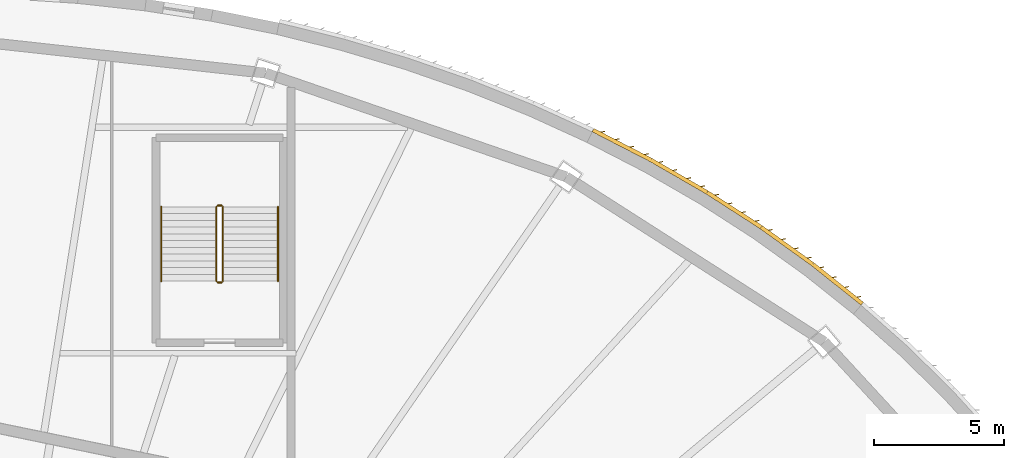
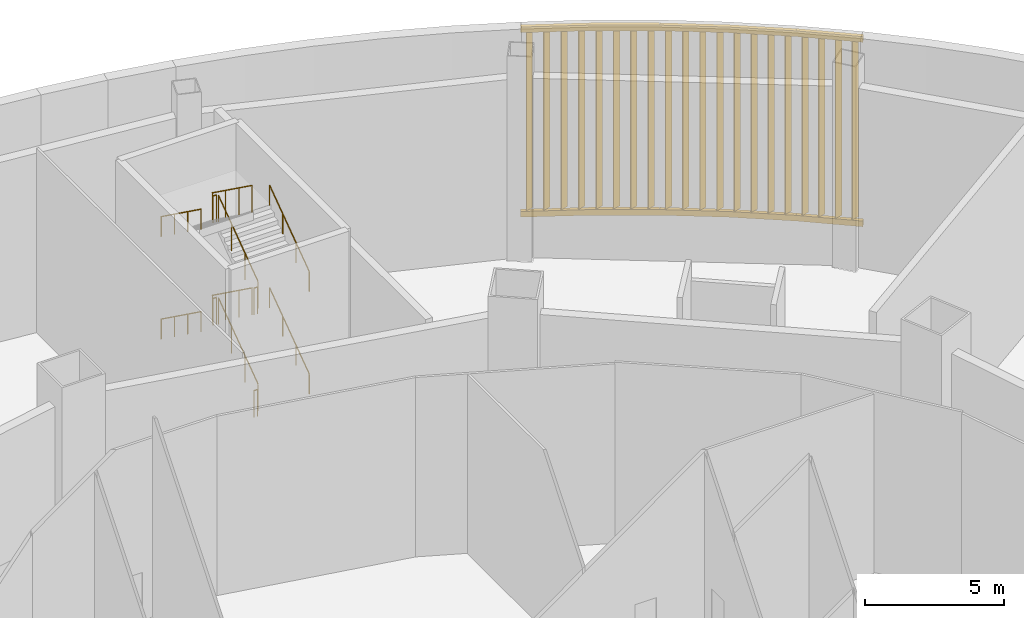
# One storey, part 34 of 35: 12 railings, 1 shading device.
"""IFC4 building model written with IfcOpenShell, lengths in metres."""

import ifcopenshell
import ifcopenshell.guid

model = None  # the IFC model being written
_history = None  # IfcOwnerHistory: only IFC2X3 demands one
_inside = {}  # id of a spatial element -> (the spatial element, [elements in it])
_under = {}  # id of a project, library or spatial element -> (it, [spatial elements below it])
_declared = {}  # id of a project -> (the project, [libraries it declares])
_typed = {}  # id of a type object -> (the type object, [elements of that type])
_made_of = {}  # id of a material, layer set ... -> (it, [elements and type objects made of it])


def new_model(schema):
    """Start an empty IFC model of exactly this schema.

    Asked for "IFC4X3", IfcOpenShell would pick the latest addendum, in which some entities
    have other attributes; the version numbers below select the first issue.
    IFC2X3 requires an IfcOwnerHistory on every rooted entity: one is made here for all.
    """
    global model, _history
    if schema == "IFC4X3":
        model = ifcopenshell.file(schema_version=(4, 3, 0, 0))
    else:
        model = ifcopenshell.file(schema=schema)
    _inside.clear()
    _under.clear()
    _declared.clear()
    _typed.clear()
    _made_of.clear()
    _history = None
    if model.schema == "IFC2X3":
        org = make("IfcOrganization", Name="unknown")
        user = make(
            "IfcPersonAndOrganization",
            ThePerson=make("IfcPerson", FamilyName="unknown"),
            TheOrganization=org,
        )
        app = make(
            "IfcApplication",
            ApplicationDeveloper=org,
            Version="unknown",
            ApplicationFullName="unknown",
            ApplicationIdentifier="unknown",
        )
        _history = make(
            "IfcOwnerHistory",
            OwningUser=user,
            OwningApplication=app,
            ChangeAction="ADDED",
            CreationDate=0,
        )
    return model


def make(cls, **values):
    """One entity of the class cls with the attributes given. An attribute that is None is left unset."""
    return model.create_entity(
        cls, **{name: value for name, value in values.items() if value is not None}
    )


def rooted(cls, **values):
    """An entity with a GlobalId (a new one), such as an element, a storey or a relation."""
    return make(cls, GlobalId=ifcopenshell.guid.new(), OwnerHistory=_history, **values)


def si_unit(unit_type, name, prefix=None):
    """IfcSIUnit, for example si_unit("LENGTHUNIT", "METRE", prefix="MILLI")."""
    return make("IfcSIUnit", UnitType=unit_type, Prefix=prefix, Name=name)


def assignment(units):
    """IfcUnitAssignment: the units of a project."""
    return None if units is None else make("IfcUnitAssignment", Units=units)


def point(xyz):
    """IfcCartesianPoint."""
    return None if xyz is None else make("IfcCartesianPoint", Coordinates=xyz)


def direction(xyz):
    """IfcDirection."""
    return None if xyz is None else make("IfcDirection", DirectionRatios=xyz)


def frame(location, z_axis=None, x_axis=None):
    """IfcAxis2Placement3D, a coordinate frame: its origin and axes. An axis left out is left unset."""
    return make(
        "IfcAxis2Placement3D",
        Location=point(location),
        Axis=direction(z_axis),
        RefDirection=direction(x_axis),
    )


def frame_2d(location, x_axis=None):
    """IfcAxis2Placement2D, a coordinate frame in the plane: its origin and x axis."""
    return make(
        "IfcAxis2Placement2D", Location=point(location), RefDirection=direction(x_axis)
    )


def origin():
    """The frame at (0, 0, 0) with its axes left unset."""
    return frame((0.0, 0.0, 0.0))


def origin_2d():
    """The frame at (0, 0) in the plane with its x axis left unset."""
    return frame_2d((0.0, 0.0))


def place(relative_to, where):
    """IfcLocalPlacement: puts the frame where relative to a parent placement (None: the world)."""
    return make(
        "IfcLocalPlacement", PlacementRelTo=relative_to, RelativePlacement=where
    )


def context(
    kind, dimensions, precision=None, world=None, true_north=None, identifier=None
):
    """IfcGeometricRepresentationContext, for example the 3D "Model" context."""
    return make(
        "IfcGeometricRepresentationContext",
        ContextIdentifier=identifier,
        ContextType=kind,
        CoordinateSpaceDimension=dimensions,
        Precision=precision,
        WorldCoordinateSystem=world,
        TrueNorth=true_north,
    )


def subcontext(parent, identifier, kind, view, scale=None):
    """IfcGeometricRepresentationSubContext, for example "Body" below "Model"."""
    return make(
        "IfcGeometricRepresentationSubContext",
        ContextIdentifier=identifier,
        ContextType=kind,
        ParentContext=parent,
        TargetScale=scale,
        TargetView=view,
    )


def project(units=None, contexts=None):
    """IfcProject with its units and contexts."""
    return rooted(
        "IfcProject",
        Name="project",
        RepresentationContexts=contexts,
        UnitsInContext=assignment(units),
    )


def spatial(cls, under=None, at=None, **own):
    """A site, building, storey or space (cls), placed at a placement, below another one or the project."""
    s = rooted(cls, ObjectPlacement=at, **own)
    if under is not None:
        _under.setdefault(under.id(), (under, []))[1].append(s)
    return s


def profile(cls, at=None, kind="AREA", **sizes):
    """A parametric profile (cls). Its sizes go by their IFC names, for example OverallWidth=200.0."""
    return make(cls, ProfileType=kind, Position=at, **sizes)


def rectangle(**sizes):
    """IfcRectangleProfileDef."""
    return profile("IfcRectangleProfileDef", **sizes)


def circle(**sizes):
    """IfcCircleProfileDef."""
    return profile("IfcCircleProfileDef", **sizes)


def extrude(swept, where, along, depth):
    """IfcExtrudedAreaSolid: the profile swept, set in the frame where, extruded along a direction by depth."""
    return make(
        "IfcExtrudedAreaSolid",
        SweptArea=swept,
        Position=where,
        ExtrudedDirection=direction(along),
        Depth=depth,
    )


def shape(context_of_items, identifier, shape_type, items):
    """IfcShapeRepresentation: the items that make up one representation, for example the "Body"."""
    return make(
        "IfcShapeRepresentation",
        ContextOfItems=context_of_items,
        RepresentationIdentifier=identifier,
        RepresentationType=shape_type,
        Items=items,
    )


def material(Name=None, Category=None):
    """IfcMaterial."""
    return make("IfcMaterial", Name=Name, Category=Category)


def made_of(thing, what):
    """Note that an element or type object is made of a material, layer set ...; save() writes the relation."""
    if what is not None:
        _made_of.setdefault(what.id(), (what, []))[1].append(thing)
    return thing


def type_object(cls, material=None, **own):
    """A type object (cls), such as IfcWallType, which elements share."""
    return made_of(rooted(cls, **own), material)


def element(
    cls,
    number,
    at=None,
    inside=None,
    cuts=None,
    type_object=None,
    material=None,
    context=None,
    identifier="Body",
    shape_type=None,
    held_by="IfcProductDefinitionShape",
    body=None,
    shapes=None,
    **own,
):
    """One element of the class cls, such as IfcWall. Its Tag is "e" and its number.

    at: its placement. inside: the storey or other place that contains it. cuts: it is an
    opening in that element (IfcRelVoidsElement). A single representation is given by context,
    identifier, shape_type and body (its items); several are given by shapes. held_by: the class
    of the entity that holds the representations. save() writes the other relations.
    """
    e = rooted(cls, Tag="e%d" % number, ObjectPlacement=at, **own)
    if body is not None:
        shapes = [shape(context, identifier, shape_type, body)]
    if shapes is not None:
        e.Representation = make(held_by, Representations=shapes)
    if inside is not None:
        _inside.setdefault(inside.id(), (inside, []))[1].append(e)
    if cuts is not None:
        rooted(
            "IfcRelVoidsElement", RelatingBuildingElement=cuts, RelatedOpeningElement=e
        )
    if type_object is not None:
        _typed.setdefault(type_object.id(), (type_object, []))[1].append(e)
    return made_of(e, material)


def aggregate(whole, parts):
    """IfcRelAggregates: a whole, such as a stair, and the parts it consists of."""
    return rooted("IfcRelAggregates", RelatingObject=whole, RelatedObjects=parts)


def save(model, path):
    """Write the relations noted so far, then the file.

    IfcRelAggregates (storeys below a building ...), IfcRelContainedInSpatialStructure (elements
    in a storey), IfcRelDefinesByType, IfcRelAssociatesMaterial and IfcRelDeclares: one each for
    every whole, place, type object, material and project.
    """
    for whole, parts in _under.values():
        aggregate(whole, parts)
    for where, things in _inside.values():
        rooted(
            "IfcRelContainedInSpatialStructure",
            RelatedElements=things,
            RelatingStructure=where,
        )
    for kind, things in _typed.values():
        rooted("IfcRelDefinesByType", RelatedObjects=things, RelatingType=kind)
    for what, things in _made_of.values():
        rooted("IfcRelAssociatesMaterial", RelatedObjects=things, RelatingMaterial=what)
    for by, libraries in _declared.values():
        rooted("IfcRelDeclares", RelatingContext=by, RelatedDefinitions=libraries)
    model.write(path)


model = new_model("IFC4")

# Units and contexts
model_context = context("Model", 3, precision=1e-05, world=origin(), true_north=direction((0.0, 1.0)))
body_context = subcontext(model_context, "Body", "Model", "MODEL_VIEW")
ifc_project = project(units=[si_unit("LENGTHUNIT", "METRE"), si_unit("AREAUNIT", "SQUARE_METRE"), si_unit("VOLUMEUNIT", "CUBIC_METRE"), si_unit("PLANEANGLEUNIT", "RADIAN"), si_unit("MASSUNIT", "GRAM", prefix="KILO")], contexts=[model_context])

# Site, building, storey
site_placement = place(None, origin())
site = spatial("IfcSite", under=ifc_project, at=site_placement, CompositionType="ELEMENT")
building_placement = place(site_placement, origin())
building = spatial("IfcBuilding", under=site, at=building_placement, Name="Sahrelin Media Tower", CompositionType="ELEMENT")
storey_placement = place(building_placement, frame((0.0, 0.0, 8.0)))
storey = spatial("IfcBuildingStorey", under=building, at=storey_placement, Name="L01", CompositionType="ELEMENT", Elevation=8.0)

# Railings
ifc_material_1 = material(Name="Steel S355", Category="steel")
railing_type_1 = type_object("IfcRailingType", Name="Stair guard 1200", PredefinedType="GUARDRAIL", material=ifc_material_1)
railing_1_placement = place(storey_placement, frame((10.77490234375, 30.625, 0.1875)))
element("IfcRailing", 1, at=railing_1_placement, inside=storey, type_object=railing_type_1, Name="L01 PS1 stair guard 1", PredefinedType="GUARDRAIL", context=body_context, shape_type="SweptSolid", body=[
    extrude(circle(Radius=0.02392578125, at=origin_2d()), frame((0.0, 0.0, 1.17578125), z_axis=(0.0, 0.811100754333, 0.584906459462), x_axis=(-1.0, 0.0, 0.0)), (0.0, 0.0, 1.0), 3.526123046875),
    extrude(circle(Radius=0.02099609375, at=origin_2d()), origin(), (0.0, 0.0, 1.0), 1.15185546875),
    extrude(circle(Radius=0.02099609375, at=origin_2d()), frame((0.0, 0.953369140625, 0.6875)), (0.0, 0.0, 1.0), 1.15185546875),
    extrude(circle(Radius=0.02099609375, at=origin_2d()), frame((0.0, 1.90673828125, 1.375)), (0.0, 0.0, 1.0), 1.15185546875),
    extrude(circle(Radius=0.02099609375, at=origin_2d()), frame((0.0, 2.860107421875, 2.0625)), (0.0, 0.0, 1.0), 1.15185546875),
])
railing_2_placement = place(storey_placement, frame((10.72509765625, 33.534912109375, 2.25)))
element("IfcRailing", 2, at=railing_2_placement, inside=storey, type_object=railing_type_1, Name="L01 PS1 stair guard 2", PredefinedType="GUARDRAIL", context=body_context, shape_type="SweptSolid", body=[
    extrude(circle(Radius=0.02392578125, at=origin_2d()), frame((0.0, 0.0, 1.17578125), z_axis=(-1.0, 0.0, 0.0), x_axis=(0.0, -1.0, 0.0)), (0.0, 0.0, 1.0), 0.150146484375),
    extrude(circle(Radius=0.02099609375, at=origin_2d()), origin(), (0.0, 0.0, 1.0), 1.15185546875),
    extrude(circle(Radius=0.02099609375, at=origin_2d()), frame((-0.150146484375, 0.0, 0.0)), (0.0, 0.0, 1.0), 1.15185546875),
])
railing_3_placement = place(storey_placement, frame((10.52490234375, 33.485107421875, 2.4375)))
element("IfcRailing", 3, at=railing_3_placement, inside=storey, type_object=railing_type_1, Name="L01 PS1 stair guard 3", PredefinedType="GUARDRAIL", context=body_context, shape_type="SweptSolid", body=[
    extrude(circle(Radius=0.02392578125, at=origin_2d()), frame((0.0, 0.0, 1.17578125), z_axis=(0.0, -0.811100754333, 0.584906459462), x_axis=(1.0, 0.0, 0.0)), (0.0, 0.0, 1.0), 3.526123046875),
    extrude(circle(Radius=0.02099609375, at=origin_2d()), origin(), (0.0, 0.0, 1.0), 1.15185546875),
    extrude(circle(Radius=0.02099609375, at=origin_2d()), frame((0.0, -0.953369140625, 0.6875)), (0.0, 0.0, 1.0), 1.15185546875),
    extrude(circle(Radius=0.02099609375, at=origin_2d()), frame((0.0, -1.90673828125, 1.375)), (0.0, 0.0, 1.0), 1.15185546875),
    extrude(circle(Radius=0.02099609375, at=origin_2d()), frame((0.0, -2.860107421875, 2.0625)), (0.0, 0.0, 1.0), 1.15185546875),
])
railing_4_placement = place(storey_placement, frame((10.72509765625, 30.574951171875, 4.5)))
element("IfcRailing", 4, at=railing_4_placement, inside=storey, type_object=railing_type_1, Name="L01 PS1 stair guard 4", PredefinedType="GUARDRAIL", context=body_context, shape_type="SweptSolid", body=[
    extrude(circle(Radius=0.02392578125, at=origin_2d()), frame((0.0, 0.0, 1.17578125), z_axis=(-1.0, 0.0, 0.0), x_axis=(0.0, -1.0, 0.0)), (0.0, 0.0, 1.0), 0.150146484375),
    extrude(circle(Radius=0.02099609375, at=origin_2d()), origin(), (0.0, 0.0, 1.0), 1.15185546875),
    extrude(circle(Radius=0.02099609375, at=origin_2d()), frame((-0.150146484375, 0.0, 0.0)), (0.0, 0.0, 1.0), 1.15185546875),
])
railing_5_placement = place(storey_placement, frame((10.77490234375, 30.625, 4.6875)))
element("IfcRailing", 5, at=railing_5_placement, inside=storey, type_object=railing_type_1, Name="L01 PS1 stair guard 5", PredefinedType="GUARDRAIL", context=body_context, shape_type="SweptSolid", body=[
    extrude(circle(Radius=0.02392578125, at=origin_2d()), frame((0.0, 0.0, 1.17578125), z_axis=(0.0, 0.811100754333, 0.584906459462), x_axis=(-1.0, 0.0, 0.0)), (0.0, 0.0, 1.0), 3.526123046875),
    extrude(circle(Radius=0.02099609375, at=origin_2d()), origin(), (0.0, 0.0, 1.0), 1.15185546875),
    extrude(circle(Radius=0.02099609375, at=origin_2d()), frame((0.0, 0.953369140625, 0.6875)), (0.0, 0.0, 1.0), 1.15185546875),
    extrude(circle(Radius=0.02099609375, at=origin_2d()), frame((0.0, 1.90673828125, 1.375)), (0.0, 0.0, 1.0), 1.15185546875),
    extrude(circle(Radius=0.02099609375, at=origin_2d()), frame((0.0, 2.860107421875, 2.0625)), (0.0, 0.0, 1.0), 1.15185546875),
])
railing_6_placement = place(storey_placement, frame((10.72509765625, 33.534912109375, 6.75)))
element("IfcRailing", 6, at=railing_6_placement, inside=storey, type_object=railing_type_1, Name="L01 PS1 stair guard 6", PredefinedType="GUARDRAIL", context=body_context, shape_type="SweptSolid", body=[
    extrude(circle(Radius=0.02392578125, at=origin_2d()), frame((0.0, 0.0, 1.17578125), z_axis=(-1.0, 0.0, 0.0), x_axis=(0.0, -1.0, 0.0)), (0.0, 0.0, 1.0), 0.150146484375),
    extrude(circle(Radius=0.02099609375, at=origin_2d()), origin(), (0.0, 0.0, 1.0), 1.15185546875),
    extrude(circle(Radius=0.02099609375, at=origin_2d()), frame((-0.150146484375, 0.0, 0.0)), (0.0, 0.0, 1.0), 1.15185546875),
])
railing_7_placement = place(storey_placement, frame((10.52490234375, 33.485107421875, 6.9375)))
element("IfcRailing", 7, at=railing_7_placement, inside=storey, type_object=railing_type_1, Name="L01 PS1 stair guard 7", PredefinedType="GUARDRAIL", context=body_context, shape_type="SweptSolid", body=[
    extrude(circle(Radius=0.02392578125, at=origin_2d()), frame((0.0, 0.0, 1.17578125), z_axis=(0.0, -0.811100754333, 0.584906459462), x_axis=(1.0, 0.0, 0.0)), (0.0, 0.0, 1.0), 3.526123046875),
    extrude(circle(Radius=0.02099609375, at=origin_2d()), origin(), (0.0, 0.0, 1.0), 1.15185546875),
    extrude(circle(Radius=0.02099609375, at=origin_2d()), frame((0.0, -0.953369140625, 0.6875)), (0.0, 0.0, 1.0), 1.15185546875),
    extrude(circle(Radius=0.02099609375, at=origin_2d()), frame((0.0, -1.90673828125, 1.375)), (0.0, 0.0, 1.0), 1.15185546875),
    extrude(circle(Radius=0.02099609375, at=origin_2d()), frame((0.0, -2.860107421875, 2.0625)), (0.0, 0.0, 1.0), 1.15185546875),
])
railing_8_placement = place(storey_placement, frame((10.72509765625, 30.574951171875, 0.0)))
element("IfcRailing", 8, at=railing_8_placement, inside=storey, type_object=railing_type_1, Name="L01 PS1 stair guard 8", PredefinedType="GUARDRAIL", context=body_context, shape_type="SweptSolid", body=[
    extrude(circle(Radius=0.02392578125, at=origin_2d()), frame((0.0, 0.0, 1.17578125), z_axis=(-1.0, 0.0, 0.0), x_axis=(0.0, -1.0, 0.0)), (0.0, 0.0, 1.0), 0.150146484375),
    extrude(circle(Radius=0.02099609375, at=origin_2d()), origin(), (0.0, 0.0, 1.0), 1.15185546875),
    extrude(circle(Radius=0.02099609375, at=origin_2d()), frame((-0.150146484375, 0.0, 0.0)), (0.0, 0.0, 1.0), 1.15185546875),
])
railing_type_2 = type_object("IfcRailingType", Name="Stair handrail 900", PredefinedType="HANDRAIL", material=ifc_material_1)
railing_9_placement = place(storey_placement, frame((12.89990234375, 30.625, 0.1875)))
element("IfcRailing", 9, at=railing_9_placement, inside=storey, type_object=railing_type_2, Name="L01 PS1 stair handrail 1", PredefinedType="HANDRAIL", context=body_context, shape_type="SweptSolid", body=[
    extrude(circle(Radius=0.02392578125, at=origin_2d()), frame((0.0, 0.0, 0.8759765625), z_axis=(0.0, 0.811100754333, 0.584906459462), x_axis=(-1.0, 0.0, 0.0)), (0.0, 0.0, 1.0), 3.526123046875),
    extrude(circle(Radius=0.02099609375, at=origin_2d()), origin(), (0.0, 0.0, 1.0), 0.851806640625),
    extrude(circle(Radius=0.02099609375, at=origin_2d()), frame((0.0, 0.953369140625, 0.6875)), (0.0, 0.0, 1.0), 0.851806640625),
    extrude(circle(Radius=0.02099609375, at=origin_2d()), frame((0.0, 1.90673828125, 1.375)), (0.0, 0.0, 1.0), 0.851806640625),
    extrude(circle(Radius=0.02099609375, at=origin_2d()), frame((0.0, 2.860107421875, 2.0625)), (0.0, 0.0, 1.0), 0.851806640625),
])
railing_10_placement = place(storey_placement, frame((8.39990234375, 33.485107421875, 2.4375)))
element("IfcRailing", 10, at=railing_10_placement, inside=storey, type_object=railing_type_2, Name="L01 PS1 stair handrail 2", PredefinedType="HANDRAIL", context=body_context, shape_type="SweptSolid", body=[
    extrude(circle(Radius=0.02392578125, at=origin_2d()), frame((0.0, 0.0, 0.8759765625), z_axis=(0.0, -0.811100754333, 0.584906459462), x_axis=(1.0, 0.0, 0.0)), (0.0, 0.0, 1.0), 3.526123046875),
    extrude(circle(Radius=0.02099609375, at=origin_2d()), origin(), (0.0, 0.0, 1.0), 0.851806640625),
    extrude(circle(Radius=0.02099609375, at=origin_2d()), frame((0.0, -0.953369140625, 0.6875)), (0.0, 0.0, 1.0), 0.851806640625),
    extrude(circle(Radius=0.02099609375, at=origin_2d()), frame((0.0, -1.90673828125, 1.375)), (0.0, 0.0, 1.0), 0.851806640625),
    extrude(circle(Radius=0.02099609375, at=origin_2d()), frame((0.0, -2.860107421875, 2.0625)), (0.0, 0.0, 1.0), 0.851806640625),
])
railing_11_placement = place(storey_placement, frame((12.89990234375, 30.625, 4.6875)))
element("IfcRailing", 11, at=railing_11_placement, inside=storey, type_object=railing_type_2, Name="L01 PS1 stair handrail 3", PredefinedType="HANDRAIL", context=body_context, shape_type="SweptSolid", body=[
    extrude(circle(Radius=0.02392578125, at=origin_2d()), frame((0.0, 0.0, 0.8759765625), z_axis=(0.0, 0.811100754333, 0.584906459462), x_axis=(-1.0, 0.0, 0.0)), (0.0, 0.0, 1.0), 3.526123046875),
    extrude(circle(Radius=0.02099609375, at=origin_2d()), origin(), (0.0, 0.0, 1.0), 0.851806640625),
    extrude(circle(Radius=0.02099609375, at=origin_2d()), frame((0.0, 0.953369140625, 0.6875)), (0.0, 0.0, 1.0), 0.851806640625),
    extrude(circle(Radius=0.02099609375, at=origin_2d()), frame((0.0, 1.90673828125, 1.375)), (0.0, 0.0, 1.0), 0.851806640625),
    extrude(circle(Radius=0.02099609375, at=origin_2d()), frame((0.0, 2.860107421875, 2.0625)), (0.0, 0.0, 1.0), 0.851806640625),
])
railing_12_placement = place(storey_placement, frame((8.39990234375, 33.485107421875, 6.9375)))
element("IfcRailing", 12, at=railing_12_placement, inside=storey, type_object=railing_type_2, Name="L01 PS1 stair handrail 4", PredefinedType="HANDRAIL", context=body_context, shape_type="SweptSolid", body=[
    extrude(circle(Radius=0.02392578125, at=origin_2d()), frame((0.0, 0.0, 0.8759765625), z_axis=(0.0, -0.811100754333, 0.584906459462), x_axis=(1.0, 0.0, 0.0)), (0.0, 0.0, 1.0), 3.526123046875),
    extrude(circle(Radius=0.02099609375, at=origin_2d()), origin(), (0.0, 0.0, 1.0), 0.851806640625),
    extrude(circle(Radius=0.02099609375, at=origin_2d()), frame((0.0, -0.953369140625, 0.6875)), (0.0, 0.0, 1.0), 0.851806640625),
    extrude(circle(Radius=0.02099609375, at=origin_2d()), frame((0.0, -1.90673828125, 1.375)), (0.0, 0.0, 1.0), 0.851806640625),
    extrude(circle(Radius=0.02099609375, at=origin_2d()), frame((0.0, -2.860107421875, 2.0625)), (0.0, 0.0, 1.0), 0.851806640625),
])

# Shading device
ifc_material_2 = material(Name="Champagne anodised aluminium 6063-T6", Category="aluminium")
shading_device_type = type_object("IfcShadingDeviceType", Name="Studio facade screen", PredefinedType="USERDEFINED", material=ifc_material_2)
shading_device_placement = place(storey_placement, frame((35.355224609375, 29.698486328125, 0.0), z_axis=(0.0, 0.0, 1.0), x_axis=(0.840505257377, -0.541803388991, 0.0)))
element("IfcShadingDevice", 13, at=shading_device_placement, inside=storey, type_object=shading_device_type, Name="L01:SCREEN:L01-P03", ObjectType="SCREEN", PredefinedType="USERDEFINED", context=body_context, shape_type="SweptSolid", body=[
    extrude(rectangle(XDim=0.14990234375, YDim=0.25, at=origin_2d()), frame((0.007568359375, 0.07470703125, 0.35009765625), z_axis=(-0.994963253127, 0.100240335829, 0.0), x_axis=(-0.100240335829, -0.994963253127, 0.0)), (0.0, 0.0, 1.0), 2.42822265625),
    extrude(rectangle(XDim=0.14990234375, YDim=0.25, at=origin_2d()), frame((0.007568359375, 0.07470703125, 8.449951171875), z_axis=(-0.994963253127, 0.100240335829, 0.0), x_axis=(-0.100240335829, -0.994963253127, 0.0)), (0.0, 0.0, 1.0), 2.42822265625),
    extrude(rectangle(XDim=0.300048828125, YDim=0.0400390625, at=origin_2d()), frame((-0.287109375, 0.1796875, 0.47509765625), z_axis=(0.0, 0.0, 1.0), x_axis=(0.707106781187, 0.707106781187, 0.0)), (0.0, 0.0, 1.0), 7.849853515625),
    extrude(rectangle(XDim=0.300048828125, YDim=0.0400390625, at=origin_2d()), frame((-0.89111328125, 0.240478515625, 0.47509765625), z_axis=(0.0, 0.0, 1.0), x_axis=(0.707106781187, 0.707106781187, 0.0)), (0.0, 0.0, 1.0), 7.849853515625),
    extrude(rectangle(XDim=0.300048828125, YDim=0.0400390625, at=origin_2d()), frame((-1.4951171875, 0.301513671875, 0.47509765625), z_axis=(0.0, 0.0, 1.0), x_axis=(0.707106781187, 0.707106781187, 0.0)), (0.0, 0.0, 1.0), 7.849853515625),
    extrude(rectangle(XDim=0.300048828125, YDim=0.0400390625, at=origin_2d()), frame((-2.09912109375, 0.3623046875, 0.47509765625), z_axis=(0.0, 0.0, 1.0), x_axis=(0.707106781187, 0.707106781187, 0.0)), (0.0, 0.0, 1.0), 7.849853515625),
    extrude(rectangle(XDim=0.14990234375, YDim=0.25, at=origin_2d()), frame((-2.412353515625, 0.318359375, 0.35009765625), z_axis=(-0.99876250847, 0.049733808175, 0.0), x_axis=(-0.049733808175, -0.99876250847, 0.0)), (0.0, 0.0, 1.0), 2.449462890625),
    extrude(rectangle(XDim=0.14990234375, YDim=0.25, at=origin_2d()), frame((-2.412353515625, 0.318359375, 8.449951171875), z_axis=(-0.99876250847, 0.049733808175, 0.0), x_axis=(-0.049733808175, -0.99876250847, 0.0)), (0.0, 0.0, 1.0), 2.449462890625),
    extrude(rectangle(XDim=0.300048828125, YDim=0.0400390625, at=origin_2d()), frame((-2.71435546875, 0.40869140625, 0.47509765625), z_axis=(0.0, 0.0, 1.0), x_axis=(0.707106781187, 0.707106781187, 0.0)), (0.0, 0.0, 1.0), 7.849853515625),
    extrude(rectangle(XDim=0.300048828125, YDim=0.0400390625, at=origin_2d()), frame((-3.326171875, 0.43896484375, 0.47509765625), z_axis=(0.0, 0.0, 1.0), x_axis=(0.707106781187, 0.707106781187, 0.0)), (0.0, 0.0, 1.0), 7.849853515625),
    extrude(rectangle(XDim=0.300048828125, YDim=0.0400390625, at=origin_2d()), frame((-3.937744140625, 0.469482421875, 0.47509765625), z_axis=(0.0, 0.0, 1.0), x_axis=(0.707106781187, 0.707106781187, 0.0)), (0.0, 0.0, 1.0), 7.849853515625),
    extrude(rectangle(XDim=0.300048828125, YDim=0.0400390625, at=origin_2d()), frame((-4.54931640625, 0.5, 0.47509765625), z_axis=(0.0, 0.0, 1.0), x_axis=(0.707106781187, 0.707106781187, 0.0)), (0.0, 0.0, 1.0), 7.849853515625),
    extrude(rectangle(XDim=0.14990234375, YDim=0.25, at=origin_2d()), frame((-4.86279296875, 0.4404296875, 0.35009765625), z_axis=(-1.0, 0.0, 0.0), x_axis=(0.0, -1.0, 0.0)), (0.0, 0.0, 1.0), 2.470703125),
    extrude(rectangle(XDim=0.14990234375, YDim=0.25, at=origin_2d()), frame((-4.86279296875, 0.4404296875, 8.449951171875), z_axis=(-1.0, 0.0, 0.0), x_axis=(0.0, -1.0, 0.0)), (0.0, 0.0, 1.0), 2.470703125),
    extrude(rectangle(XDim=0.300048828125, YDim=0.0400390625, at=origin_2d()), frame((-5.171630859375, 0.515380859375, 0.47509765625), z_axis=(0.0, 0.0, 1.0), x_axis=(0.707106781187, 0.707106781187, 0.0)), (0.0, 0.0, 1.0), 7.849853515625),
    extrude(rectangle(XDim=0.300048828125, YDim=0.0400390625, at=origin_2d()), frame((-5.789306640625, 0.515380859375, 0.47509765625), z_axis=(0.0, 0.0, 1.0), x_axis=(0.707106781187, 0.707106781187, 0.0)), (0.0, 0.0, 1.0), 7.849853515625),
    extrude(rectangle(XDim=0.300048828125, YDim=0.0400390625, at=origin_2d()), frame((-6.406982421875, 0.515380859375, 0.47509765625), z_axis=(0.0, 0.0, 1.0), x_axis=(0.707106781187, 0.707106781187, 0.0)), (0.0, 0.0, 1.0), 7.849853515625),
    extrude(rectangle(XDim=0.300048828125, YDim=0.0400390625, at=origin_2d()), frame((-7.024658203125, 0.515380859375, 0.47509765625), z_axis=(0.0, 0.0, 1.0), x_axis=(0.707106781187, 0.707106781187, 0.0)), (0.0, 0.0, 1.0), 7.849853515625),
    extrude(rectangle(XDim=0.14990234375, YDim=0.25, at=origin_2d()), frame((-7.337158203125, 0.440185546875, 0.35009765625), z_axis=(-0.99880815952, -0.048808405793, 0.0), x_axis=(0.048808405793, -0.99880815952, 0.0)), (0.0, 0.0, 1.0), 2.490966796875),
    extrude(rectangle(XDim=0.14990234375, YDim=0.25, at=origin_2d()), frame((-7.337158203125, 0.440185546875, 8.449951171875), z_axis=(-0.99880815952, -0.048808405793, 0.0), x_axis=(0.048808405793, -0.99880815952, 0.0)), (0.0, 0.0, 1.0), 2.490966796875),
    extrude(rectangle(XDim=0.300048828125, YDim=0.0400390625, at=origin_2d()), frame((-7.65185546875, 0.5, 0.47509765625), z_axis=(0.0, 0.0, 1.0), x_axis=(0.707106781187, 0.707106781187, 0.0)), (0.0, 0.0, 1.0), 7.849853515625),
    extrude(rectangle(XDim=0.300048828125, YDim=0.0400390625, at=origin_2d()), frame((-8.273681640625, 0.469482421875, 0.47509765625), z_axis=(0.0, 0.0, 1.0), x_axis=(0.707106781187, 0.707106781187, 0.0)), (0.0, 0.0, 1.0), 7.849853515625),
    extrude(rectangle(XDim=0.300048828125, YDim=0.0400390625, at=origin_2d()), frame((-8.895751953125, 0.439208984375, 0.47509765625), z_axis=(0.0, 0.0, 1.0), x_axis=(0.707106781187, 0.707106781187, 0.0)), (0.0, 0.0, 1.0), 7.849853515625),
    extrude(rectangle(XDim=0.300048828125, YDim=0.0400390625, at=origin_2d()), frame((-9.517822265625, 0.40869140625, 0.47509765625), z_axis=(0.0, 0.0, 1.0), x_axis=(0.707106781187, 0.707106781187, 0.0)), (0.0, 0.0, 1.0), 7.849853515625),
    extrude(rectangle(XDim=0.14990234375, YDim=0.25, at=origin_2d()), frame((-9.828857421875, 0.318115234375, 0.35009765625), z_axis=(-0.995288149156, -0.096961333272, 0.0), x_axis=(0.096961333272, -0.995288149156, 0.0)), (0.0, 0.0, 1.0), 2.51025390625),
    extrude(rectangle(XDim=0.14990234375, YDim=0.25, at=origin_2d()), frame((-9.828857421875, 0.318115234375, 8.449951171875), z_axis=(-0.995288149156, -0.096961333272, 0.0), x_axis=(0.096961333272, -0.995288149156, 0.0)), (0.0, 0.0, 1.0), 2.51025390625),
    extrude(rectangle(XDim=0.300048828125, YDim=0.0400390625, at=origin_2d()), frame((-10.1484375, 0.3623046875, 0.47509765625), z_axis=(0.0, 0.0, 1.0), x_axis=(0.707106781187, 0.707106781187, 0.0)), (0.0, 0.0, 1.0), 7.849853515625),
    extrude(rectangle(XDim=0.300048828125, YDim=0.0400390625, at=origin_2d()), frame((-10.77294921875, 0.301513671875, 0.47509765625), z_axis=(0.0, 0.0, 1.0), x_axis=(0.707106781187, 0.707106781187, 0.0)), (0.0, 0.0, 1.0), 7.849853515625),
    extrude(rectangle(XDim=0.300048828125, YDim=0.0400390625, at=origin_2d()), frame((-11.397705078125, 0.240478515625, 0.47509765625), z_axis=(0.0, 0.0, 1.0), x_axis=(0.707106781187, 0.707106781187, 0.0)), (0.0, 0.0, 1.0), 7.849853515625),
    extrude(rectangle(XDim=0.300048828125, YDim=0.0400390625, at=origin_2d()), frame((-12.022216796875, 0.1796875, 0.47509765625), z_axis=(0.0, 0.0, 1.0), x_axis=(0.707106781187, 0.707106781187, 0.0)), (0.0, 0.0, 1.0), 7.849853515625),
])

save(model, "model.ifc")
